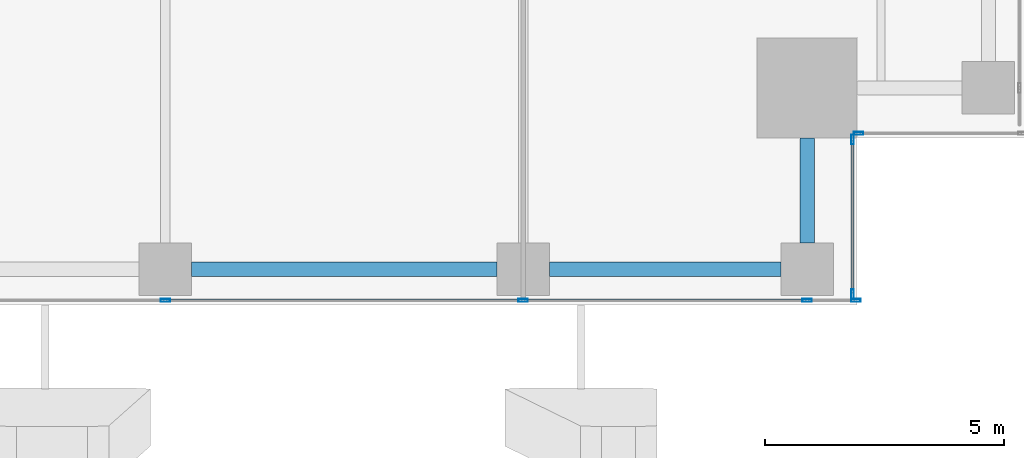
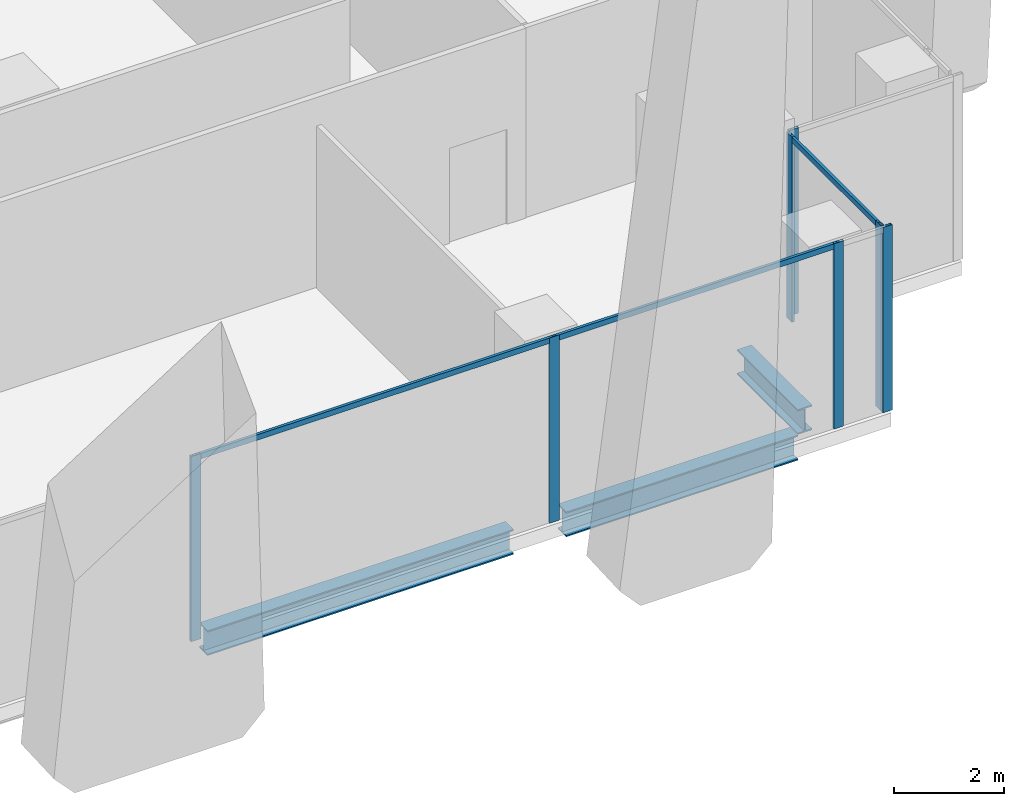
# One storey, part 9 of 35: 10 members, 3 beams, 3 elements without a shape of their own.
"""IFC4 building model written with IfcOpenShell, lengths in metres."""

from ifc_helpers import new_model, si_unit, direction, frame, origin, origin_2d, place, context, subcontext, project, spatial, hollow_rectangle, i_section, extrude, source, transform, mapped, material, material_profile, profile_set, type_object, element, aggregate, save


model = new_model("IFC4")

# Units and contexts
model_context = context("Model", 3, precision=1e-05, world=origin(), true_north=direction((0.0, 1.0)))
body_context = subcontext(model_context, "Body", "Model", "MODEL_VIEW")
ifc_project = project(units=[si_unit("LENGTHUNIT", "METRE"), si_unit("AREAUNIT", "SQUARE_METRE"), si_unit("VOLUMEUNIT", "CUBIC_METRE"), si_unit("PLANEANGLEUNIT", "RADIAN"), si_unit("MASSUNIT", "GRAM", prefix="KILO")], contexts=[model_context])

# Site, building, storey
site_placement = place(None, origin())
site = spatial("IfcSite", under=ifc_project, at=site_placement, CompositionType="ELEMENT")
building_placement = place(site_placement, origin())
building = spatial("IfcBuilding", under=site, at=building_placement, Name="Khomas Fold Tower", CompositionType="ELEMENT")
storey_placement = place(building_placement, frame((0.0, 0.0, 119.10009765625)))
storey = spatial("IfcBuildingStorey", under=building, at=storey_placement, Name="L25", CompositionType="ELEMENT", Elevation=119.10009765625)

# Beams
ifc_material_1 = material(Name="Steel S355", Category="steel")
ifc_material_profile_1 = material_profile(ifc_material_1, i_section(OverallWidth=0.300048828125, OverallDepth=0.550048828125, WebThickness=0.014892578125, FlangeThickness=0.029052734375, at=origin_2d()), Name="HE 550 B")
ifc_profile_set_1 = profile_set([ifc_material_profile_1], Name="Steel S355")
beam_type = type_object("IfcBeamType", Name="HE 550 B spandrel SB2", PredefinedType="SPANDREL", material=ifc_profile_set_1)
shared_shape_1 = source(origin(), body_context, "Body", "SweptSolid", [
    extrude(i_section(OverallWidth=0.300048828125, OverallDepth=0.550048828125, WebThickness=0.014892578125, FlangeThickness=0.029052734375, at=origin_2d()), origin(), (0.0, 0.0, 1.0), 4.849853515625),
])
beam_1_placement = place(storey_placement, frame((42.550048828125, 2.25, -0.5751953125), z_axis=(1.0, 0.0, 0.0), x_axis=(0.0, 1.0, 0.0)))
element("IfcBeam", 1, at=beam_1_placement, inside=storey, type_object=beam_type, Name="SB2", PredefinedType="SPANDREL", context=body_context, shape_type="MappedRepresentation", body=[
    mapped(shared_shape_1, transform((0.0, 0.0, 0.0))),
])
shared_shape_2 = source(origin(), body_context, "Body", "SweptSolid", [
    extrude(i_section(OverallWidth=0.300048828125, OverallDepth=0.550048828125, WebThickness=0.014892578125, FlangeThickness=0.029052734375, at=origin_2d()), origin(), (0.0, 0.0, 1.0), 6.39990234375),
])
beam_2_placement = place(storey_placement, frame((35.050048828125, 2.25, -0.5751953125), z_axis=(1.0, 0.0, 0.0), x_axis=(0.0, 1.0, 0.0)))
element("IfcBeam", 2, at=beam_2_placement, inside=storey, type_object=beam_type, Name="SB2", PredefinedType="SPANDREL", context=body_context, shape_type="MappedRepresentation", body=[
    mapped(shared_shape_2, transform((0.0, 0.0, 0.0))),
])
shared_shape_3 = source(origin(), body_context, "Body", "SweptSolid", [
    extrude(i_section(OverallWidth=0.300048828125, OverallDepth=0.550048828125, WebThickness=0.014892578125, FlangeThickness=0.029052734375, at=origin_2d()), origin(), (0.0, 0.0, 1.0), 2.199951171875),
])
beam_3_placement = place(storey_placement, frame((47.949951171875, 2.800048828125, -0.5751953125), z_axis=(0.0, 1.0, 0.0), x_axis=(-1.0, 0.0, 0.0)))
element("IfcBeam", 3, at=beam_3_placement, inside=storey, type_object=beam_type, Name="SB2", PredefinedType="SPANDREL", context=body_context, shape_type="MappedRepresentation", body=[
    mapped(shared_shape_3, transform((0.0, 0.0, 0.0))),
])

# Curtain wall, members
ifc_material_2 = material(Name="Aluminium framed double glazing", Category="aluminium")
curtain_wall_type = type_object("IfcCurtainWallType", Name="SK-Unitised clear-glass wall, growing floors CW1", PredefinedType="NOTDEFINED", material=ifc_material_2)
curtain_wall_1_placement = place(storey_placement, origin())
curtain_wall_1 = element("IfcCurtainWall", 4, at=curtain_wall_1_placement, inside=storey, type_object=curtain_wall_type, Name="CW1 run L25 00-0", PredefinedType="NOTDEFINED")
ifc_material_3 = material(Name="Aluminium", Category="aluminium")
ifc_material_profile_2 = material_profile(ifc_material_3, hollow_rectangle(XDim=0.06005859375, YDim=0.1201171875, WallThickness=0.00390625, at=origin_2d()), Name="SK-Unitised clear-glass wall, growing floors transom CW1-T")
ifc_profile_set_2 = profile_set([ifc_material_profile_2], Name="Aluminium")
member_type_1 = type_object("IfcMemberType", Name="SK-Unitised clear-glass wall, growing floors transom CW1-T", PredefinedType="USERDEFINED", material=ifc_profile_set_2)
shared_shape_4 = source(origin(), body_context, "Body", "SweptSolid", [
    extrude(hollow_rectangle(XDim=0.06005859375, YDim=0.1201171875, WallThickness=0.00390625, at=origin_2d()), origin(), (0.0, 0.0, 1.0), 7.43994140625),
])
member_1_placement = place(storey_placement, frame((34.530029296875, 1.60009765625, 4.039794921875), z_axis=(1.0, 0.0, 0.0), x_axis=(0.0, 1.0, 0.0)))
member_1 = element("IfcMember", 5, at=member_1_placement, type_object=member_type_1, Name="CW1 transom 6", ObjectType="TRANSOM", PredefinedType="USERDEFINED", context=body_context, shape_type="MappedRepresentation", body=[
    mapped(shared_shape_4, transform((0.0, 0.0, 0.0))),
])
shared_shape_5 = source(origin(), body_context, "Body", "SweptSolid", [
    extrude(hollow_rectangle(XDim=0.06005859375, YDim=0.1201171875, WallThickness=0.00390625, at=origin_2d()), origin(), (0.0, 0.0, 1.0), 5.889892578125),
])
member_2_placement = place(storey_placement, frame((42.030029296875, 1.60009765625, 4.039794921875), z_axis=(1.0, 0.0, 0.0), x_axis=(0.0, 1.0, 0.0)))
member_2 = element("IfcMember", 6, at=member_2_placement, type_object=member_type_1, Name="CW1 transom 7", ObjectType="TRANSOM", PredefinedType="USERDEFINED", context=body_context, shape_type="MappedRepresentation", body=[
    mapped(shared_shape_5, transform((0.0, 0.0, 0.0))),
])

# Curtain wall, member
curtain_wall_2_placement = place(storey_placement, origin())
curtain_wall_2 = element("IfcCurtainWall", 7, at=curtain_wall_2_placement, inside=storey, type_object=curtain_wall_type, Name="CW1 corner return L25 01", PredefinedType="NOTDEFINED")
shared_shape_6 = source(origin(), body_context, "Body", "SweptSolid", [
    extrude(hollow_rectangle(XDim=0.06005859375, YDim=0.1201171875, WallThickness=0.00390625, at=origin_2d()), origin(), (0.0, 0.0, 1.0), 3.179931640625),
])
member_3_placement = place(storey_placement, frame((48.89990234375, 1.760009765625, 4.039794921875), z_axis=(0.0, 1.0, 0.0), x_axis=(-1.0, 0.0, 0.0)))
member_3 = element("IfcMember", 8, at=member_3_placement, type_object=member_type_1, Name="CW1 transom 1", ObjectType="TRANSOM", PredefinedType="USERDEFINED", context=body_context, shape_type="MappedRepresentation", body=[
    mapped(shared_shape_6, transform((0.0, 0.0, 0.0))),
])

# Member
ifc_material_4 = material(Name="Aluminium", Category="aluminium")
ifc_material_profile_3 = material_profile(ifc_material_4, hollow_rectangle(XDim=0.06005859375, YDim=0.199951171875, WallThickness=0.00390625, at=origin_2d()), Name="SK-Unitised clear-glass wall, growing floors mullion CW1-M")
ifc_profile_set_3 = profile_set([ifc_material_profile_3], Name="Aluminium")
member_type_2 = type_object("IfcMemberType", Name="SK-Unitised clear-glass wall, growing floors mullion CW1-M", PredefinedType="MULLION", material=ifc_profile_set_3)
shared_shape_7 = source(origin(), body_context, "Body", "SweptSolid", [
    extrude(hollow_rectangle(XDim=0.06005859375, YDim=0.199951171875, WallThickness=0.00390625, at=origin_2d()), origin(), (0.0, 0.0, 1.0), 4.099853515625),
])
member_4_placement = place(storey_placement, frame((34.5, 1.60009765625, 0.0), z_axis=(0.0, 0.0, 1.0), x_axis=(0.0, 1.0, 0.0)))
member_4 = element("IfcMember", 9, at=member_4_placement, type_object=member_type_2, Name="CW1 mullion 6", PredefinedType="MULLION", context=body_context, shape_type="MappedRepresentation", body=[
    mapped(shared_shape_7, transform((0.0, 0.0, 0.0))),
])

member_5_placement = place(storey_placement, frame((42.0, 1.60009765625, 0.0), z_axis=(0.0, 0.0, 1.0), x_axis=(0.0, 1.0, 0.0)))
member_5 = element("IfcMember", 10, at=member_5_placement, type_object=member_type_2, Name="CW1 mullion 7", PredefinedType="MULLION", context=body_context, shape_type="MappedRepresentation", body=[
    mapped(shared_shape_7, transform((0.0, 0.0, 0.0))),
])

member_6_placement = place(storey_placement, frame((47.949951171875, 1.60009765625, 0.0), z_axis=(0.0, 0.0, 1.0), x_axis=(0.0, 1.0, 0.0)))
member_6 = element("IfcMember", 11, at=member_6_placement, type_object=member_type_2, Name="CW1 mullion 8", PredefinedType="MULLION", context=body_context, shape_type="MappedRepresentation", body=[
    mapped(shared_shape_7, transform((0.0, 0.0, 0.0))),
])

member_7_placement = place(storey_placement, frame((48.969970703125, 1.60009765625, 0.0), z_axis=(0.0, 0.0, 1.0), x_axis=(0.0, 1.0, 0.0)))
member_7 = element("IfcMember", 12, at=member_7_placement, type_object=member_type_2, Name="CW1 mullion 9", PredefinedType="MULLION", context=body_context, shape_type="MappedRepresentation", body=[
    mapped(shared_shape_7, transform((0.0, 0.0, 0.0))),
])

aggregate(curtain_wall_1, [member_4, member_5, member_6, member_7, member_1, member_2])

member_8_placement = place(storey_placement, frame((48.89990234375, 1.72998046875, 0.0), z_axis=(0.0, 0.0, 1.0), x_axis=(-1.0, 0.0, 0.0)))
member_8 = element("IfcMember", 13, at=member_8_placement, type_object=member_type_2, Name="CW1 mullion 1", PredefinedType="MULLION", context=body_context, shape_type="MappedRepresentation", body=[
    mapped(shared_shape_7, transform((0.0, 0.0, 0.0))),
])

member_9_placement = place(storey_placement, frame((48.89990234375, 4.969970703125, 0.0), z_axis=(0.0, 0.0, 1.0), x_axis=(-1.0, 0.0, 0.0)))
member_9 = element("IfcMember", 14, at=member_9_placement, type_object=member_type_2, Name="CW1 mullion 2", PredefinedType="MULLION", context=body_context, shape_type="MappedRepresentation", body=[
    mapped(shared_shape_7, transform((0.0, 0.0, 0.0))),
])

aggregate(curtain_wall_2, [member_8, member_9, member_3])

# Curtain wall, member
curtain_wall_3_placement = place(storey_placement, origin())
curtain_wall_3 = element("IfcCurtainWall", 15, at=curtain_wall_3_placement, inside=storey, type_object=curtain_wall_type, Name="CW1 corner return L25 02", PredefinedType="NOTDEFINED")
member_10_placement = place(storey_placement, frame((49.030029296875, 5.10009765625, 0.0), z_axis=(0.0, 0.0, 1.0), x_axis=(0.0, 1.0, 0.0)))
member_10 = element("IfcMember", 16, at=member_10_placement, type_object=member_type_2, Name="CW1 mullion 1", PredefinedType="MULLION", context=body_context, shape_type="MappedRepresentation", body=[
    mapped(shared_shape_7, transform((0.0, 0.0, 0.0))),
])
aggregate(curtain_wall_3, [member_10])

save(model, "model.ifc")
